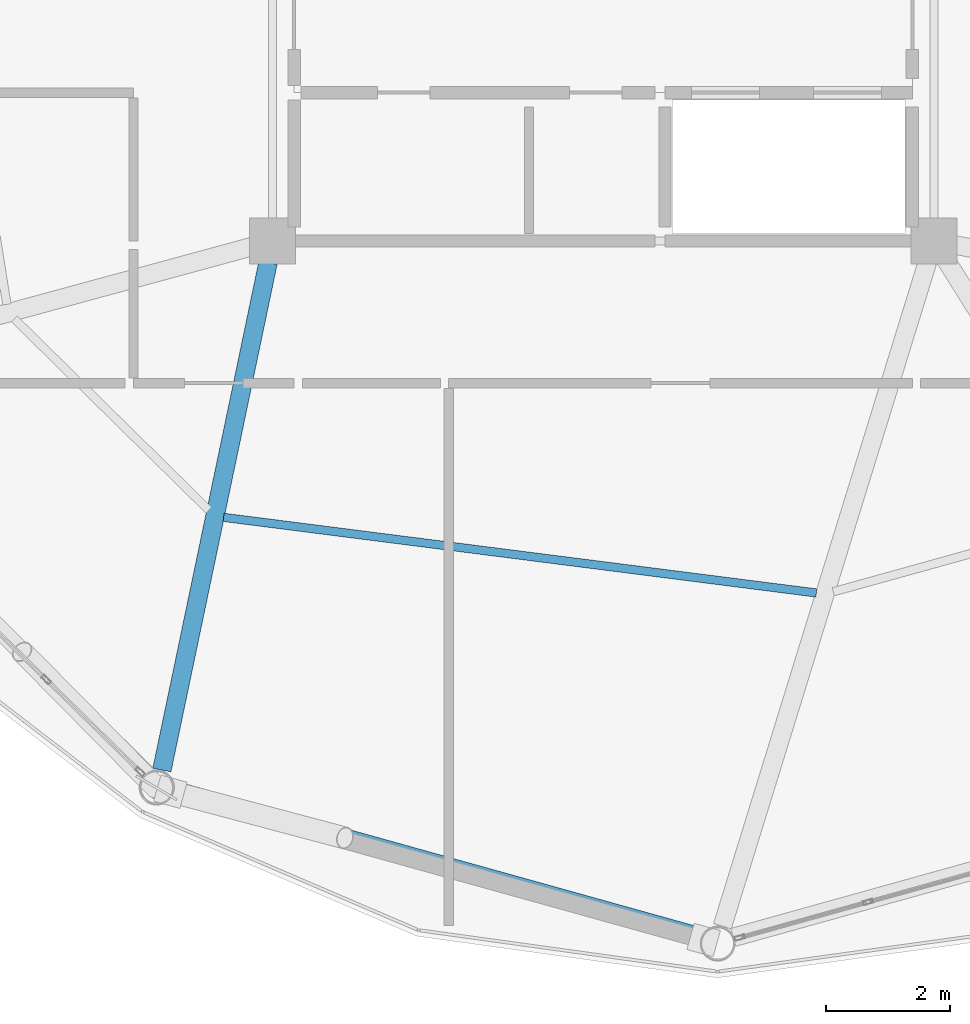
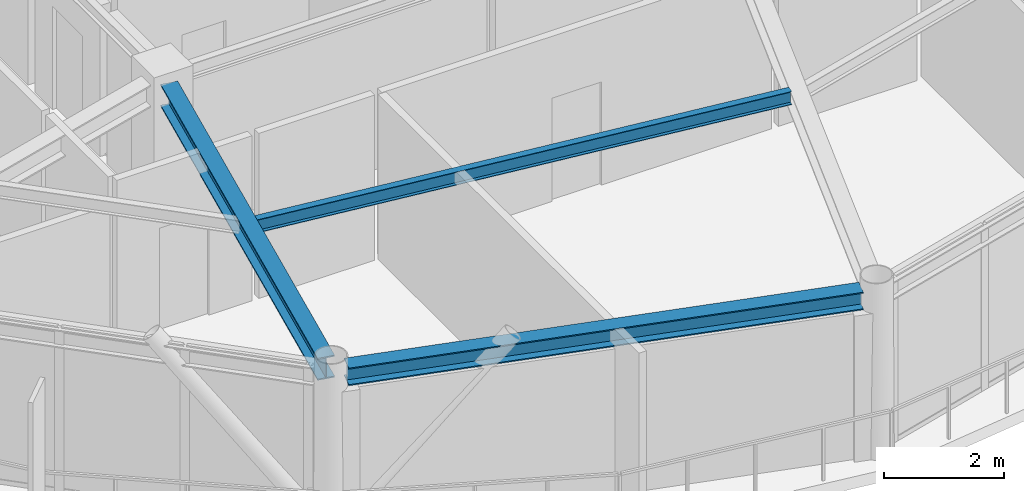
# One storey, part 3 of 25: 3 beams.
"""IFC4 building model written with IfcOpenShell, lengths in metres."""

import ifcopenshell
import ifcopenshell.guid

model = None  # the IFC model being written
_history = None  # IfcOwnerHistory: only IFC2X3 demands one
_inside = {}  # id of a spatial element -> (the spatial element, [elements in it])
_under = {}  # id of a project, library or spatial element -> (it, [spatial elements below it])
_declared = {}  # id of a project -> (the project, [libraries it declares])
_typed = {}  # id of a type object -> (the type object, [elements of that type])
_made_of = {}  # id of a material, layer set ... -> (it, [elements and type objects made of it])


def new_model(schema):
    """Start an empty IFC model of exactly this schema.

    Asked for "IFC4X3", IfcOpenShell would pick the latest addendum, in which some entities
    have other attributes; the version numbers below select the first issue.
    IFC2X3 requires an IfcOwnerHistory on every rooted entity: one is made here for all.
    """
    global model, _history
    if schema == "IFC4X3":
        model = ifcopenshell.file(schema_version=(4, 3, 0, 0))
    else:
        model = ifcopenshell.file(schema=schema)
    _inside.clear()
    _under.clear()
    _declared.clear()
    _typed.clear()
    _made_of.clear()
    _history = None
    if model.schema == "IFC2X3":
        org = make("IfcOrganization", Name="unknown")
        user = make(
            "IfcPersonAndOrganization",
            ThePerson=make("IfcPerson", FamilyName="unknown"),
            TheOrganization=org,
        )
        app = make(
            "IfcApplication",
            ApplicationDeveloper=org,
            Version="unknown",
            ApplicationFullName="unknown",
            ApplicationIdentifier="unknown",
        )
        _history = make(
            "IfcOwnerHistory",
            OwningUser=user,
            OwningApplication=app,
            ChangeAction="ADDED",
            CreationDate=0,
        )
    return model


def make(cls, **values):
    """One entity of the class cls with the attributes given. An attribute that is None is left unset."""
    return model.create_entity(
        cls, **{name: value for name, value in values.items() if value is not None}
    )


def rooted(cls, **values):
    """An entity with a GlobalId (a new one), such as an element, a storey or a relation."""
    return make(cls, GlobalId=ifcopenshell.guid.new(), OwnerHistory=_history, **values)


def si_unit(unit_type, name, prefix=None):
    """IfcSIUnit, for example si_unit("LENGTHUNIT", "METRE", prefix="MILLI")."""
    return make("IfcSIUnit", UnitType=unit_type, Prefix=prefix, Name=name)


def assignment(units):
    """IfcUnitAssignment: the units of a project."""
    return None if units is None else make("IfcUnitAssignment", Units=units)


def point(xyz):
    """IfcCartesianPoint."""
    return None if xyz is None else make("IfcCartesianPoint", Coordinates=xyz)


def direction(xyz):
    """IfcDirection."""
    return None if xyz is None else make("IfcDirection", DirectionRatios=xyz)


def frame(location, z_axis=None, x_axis=None):
    """IfcAxis2Placement3D, a coordinate frame: its origin and axes. An axis left out is left unset."""
    return make(
        "IfcAxis2Placement3D",
        Location=point(location),
        Axis=direction(z_axis),
        RefDirection=direction(x_axis),
    )


def frame_2d(location, x_axis=None):
    """IfcAxis2Placement2D, a coordinate frame in the plane: its origin and x axis."""
    return make(
        "IfcAxis2Placement2D", Location=point(location), RefDirection=direction(x_axis)
    )


def origin():
    """The frame at (0, 0, 0) with its axes left unset."""
    return frame((0.0, 0.0, 0.0))


def origin_2d():
    """The frame at (0, 0) in the plane with its x axis left unset."""
    return frame_2d((0.0, 0.0))


def place(relative_to, where):
    """IfcLocalPlacement: puts the frame where relative to a parent placement (None: the world)."""
    return make(
        "IfcLocalPlacement", PlacementRelTo=relative_to, RelativePlacement=where
    )


def context(
    kind, dimensions, precision=None, world=None, true_north=None, identifier=None
):
    """IfcGeometricRepresentationContext, for example the 3D "Model" context."""
    return make(
        "IfcGeometricRepresentationContext",
        ContextIdentifier=identifier,
        ContextType=kind,
        CoordinateSpaceDimension=dimensions,
        Precision=precision,
        WorldCoordinateSystem=world,
        TrueNorth=true_north,
    )


def subcontext(parent, identifier, kind, view, scale=None):
    """IfcGeometricRepresentationSubContext, for example "Body" below "Model"."""
    return make(
        "IfcGeometricRepresentationSubContext",
        ContextIdentifier=identifier,
        ContextType=kind,
        ParentContext=parent,
        TargetScale=scale,
        TargetView=view,
    )


def project(units=None, contexts=None):
    """IfcProject with its units and contexts."""
    return rooted(
        "IfcProject",
        Name="project",
        RepresentationContexts=contexts,
        UnitsInContext=assignment(units),
    )


def spatial(cls, under=None, at=None, **own):
    """A site, building, storey or space (cls), placed at a placement, below another one or the project."""
    s = rooted(cls, ObjectPlacement=at, **own)
    if under is not None:
        _under.setdefault(under.id(), (under, []))[1].append(s)
    return s


def profile(cls, at=None, kind="AREA", **sizes):
    """A parametric profile (cls). Its sizes go by their IFC names, for example OverallWidth=200.0."""
    return make(cls, ProfileType=kind, Position=at, **sizes)


def i_section(**sizes):
    """IfcIShapeProfileDef."""
    return profile("IfcIShapeProfileDef", **sizes)


def extrude(swept, where, along, depth):
    """IfcExtrudedAreaSolid: the profile swept, set in the frame where, extruded along a direction by depth."""
    return make(
        "IfcExtrudedAreaSolid",
        SweptArea=swept,
        Position=where,
        ExtrudedDirection=direction(along),
        Depth=depth,
    )


def shape(context_of_items, identifier, shape_type, items):
    """IfcShapeRepresentation: the items that make up one representation, for example the "Body"."""
    return make(
        "IfcShapeRepresentation",
        ContextOfItems=context_of_items,
        RepresentationIdentifier=identifier,
        RepresentationType=shape_type,
        Items=items,
    )


def material(Name=None, Category=None):
    """IfcMaterial."""
    return make("IfcMaterial", Name=Name, Category=Category)


def material_profile(
    of_material, cross_section, Name=None, Category=None, Priority=None
):
    """IfcMaterialProfile: a cross section and its material."""
    return make(
        "IfcMaterialProfile",
        Name=Name,
        Material=of_material,
        Profile=cross_section,
        Priority=Priority,
        Category=Category,
    )


def profile_set(profiles, Name=None, composite=None):
    """IfcMaterialProfileSet."""
    return make(
        "IfcMaterialProfileSet",
        Name=Name,
        MaterialProfiles=profiles,
        CompositeProfile=composite,
    )


def made_of(thing, what):
    """Note that an element or type object is made of a material, layer set ...; save() writes the relation."""
    if what is not None:
        _made_of.setdefault(what.id(), (what, []))[1].append(thing)
    return thing


def type_object(cls, material=None, **own):
    """A type object (cls), such as IfcWallType, which elements share."""
    return made_of(rooted(cls, **own), material)


def element(
    cls,
    number,
    at=None,
    inside=None,
    cuts=None,
    type_object=None,
    material=None,
    context=None,
    identifier="Body",
    shape_type=None,
    held_by="IfcProductDefinitionShape",
    body=None,
    shapes=None,
    **own,
):
    """One element of the class cls, such as IfcWall. Its Tag is "e" and its number.

    at: its placement. inside: the storey or other place that contains it. cuts: it is an
    opening in that element (IfcRelVoidsElement). A single representation is given by context,
    identifier, shape_type and body (its items); several are given by shapes. held_by: the class
    of the entity that holds the representations. save() writes the other relations.
    """
    e = rooted(cls, Tag="e%d" % number, ObjectPlacement=at, **own)
    if body is not None:
        shapes = [shape(context, identifier, shape_type, body)]
    if shapes is not None:
        e.Representation = make(held_by, Representations=shapes)
    if inside is not None:
        _inside.setdefault(inside.id(), (inside, []))[1].append(e)
    if cuts is not None:
        rooted(
            "IfcRelVoidsElement", RelatingBuildingElement=cuts, RelatedOpeningElement=e
        )
    if type_object is not None:
        _typed.setdefault(type_object.id(), (type_object, []))[1].append(e)
    return made_of(e, material)


def aggregate(whole, parts):
    """IfcRelAggregates: a whole, such as a stair, and the parts it consists of."""
    return rooted("IfcRelAggregates", RelatingObject=whole, RelatedObjects=parts)


def save(model, path):
    """Write the relations noted so far, then the file.

    IfcRelAggregates (storeys below a building ...), IfcRelContainedInSpatialStructure (elements
    in a storey), IfcRelDefinesByType, IfcRelAssociatesMaterial and IfcRelDeclares: one each for
    every whole, place, type object, material and project.
    """
    for whole, parts in _under.values():
        aggregate(whole, parts)
    for where, things in _inside.values():
        rooted(
            "IfcRelContainedInSpatialStructure",
            RelatedElements=things,
            RelatingStructure=where,
        )
    for kind, things in _typed.values():
        rooted("IfcRelDefinesByType", RelatedObjects=things, RelatingType=kind)
    for what, things in _made_of.values():
        rooted("IfcRelAssociatesMaterial", RelatedObjects=things, RelatingMaterial=what)
    for by, libraries in _declared.values():
        rooted("IfcRelDeclares", RelatingContext=by, RelatedDefinitions=libraries)
    model.write(path)


model = new_model("IFC4")

# Units and contexts
model_context = context("Model", 3, precision=1e-05, world=origin(), true_north=direction((0.0, 1.0)))
body_context = subcontext(model_context, "Body", "Model", "MODEL_VIEW")
ifc_project = project(units=[si_unit("LENGTHUNIT", "METRE"), si_unit("AREAUNIT", "SQUARE_METRE"), si_unit("VOLUMEUNIT", "CUBIC_METRE"), si_unit("PLANEANGLEUNIT", "RADIAN"), si_unit("MASSUNIT", "GRAM", prefix="KILO")], contexts=[model_context])

# Site, building, storey
site_placement = place(None, origin())
site = spatial("IfcSite", under=ifc_project, at=site_placement, CompositionType="ELEMENT")
building_placement = place(site_placement, origin())
building = spatial("IfcBuilding", under=site, at=building_placement, Name="Varnakorn Sky Granary", CompositionType="ELEMENT")
storey_placement = place(building_placement, frame((0.0, 0.0, 259.800048828125)))
storey = spatial("IfcBuildingStorey", under=building, at=storey_placement, Name="L66", CompositionType="ELEMENT", Elevation=259.800048828125)

# Beams
ifc_material = material(Name="Steel S355JR", Category="steel")
ifc_material_profile_1 = material_profile(ifc_material, i_section(OverallWidth=0.300048828125, OverallDepth=0.449951171875, WebThickness=0.013916015625, FlangeThickness=0.02587890625, at=origin_2d()), Name="HE 450 B")
ifc_profile_set_1 = profile_set([ifc_material_profile_1], Name="Steel S355JR")
beam_type_1 = type_object("IfcBeamType", Name="BM-RAD-Z5", PredefinedType="BEAM", material=ifc_profile_set_1)
beam_1_placement = place(storey_placement, frame((-2.422607421875, -6.947509765625, 3.135009765625), z_axis=(-0.204778207857, -0.978808400856, 0.0), x_axis=(0.978808400856, -0.204778207857, 0.0)))
element("IfcBeam", 1, at=beam_1_placement, inside=storey, type_object=beam_type_1, Name="Radial Floor Girder RG09 L66", PredefinedType="BEAM", context=body_context, shape_type="SweptSolid", body=[
    extrude(i_section(OverallWidth=0.300048828125, OverallDepth=0.449951171875, WebThickness=0.013916015625, FlangeThickness=0.02587890625, at=origin_2d()), origin(), (0.0, 0.0, 1.0), 8.388427734375),
])
ifc_material_profile_2 = material_profile(ifc_material, i_section(OverallWidth=0.135009765625, OverallDepth=0.27001953125, WebThickness=0.006591796875, FlangeThickness=0.01025390625, at=origin_2d()), Name="IPE 270")
ifc_profile_set_2 = profile_set([ifc_material_profile_2], Name="Steel S355JR")
beam_type_2 = type_object("IfcBeamType", Name="BM-SEC-Z5", PredefinedType="BEAM", material=ifc_profile_set_2)
beam_2_placement = place(storey_placement, frame((-3.142578125, -11.070556640625, 3.224853515625), z_axis=(0.991961585951, -0.12653936936, 0.0), x_axis=(0.12653936936, 0.991961585951, 0.0)))
element("IfcBeam", 2, at=beam_2_placement, inside=storey, type_object=beam_type_2, Name="Secondary Floor Chord Beam MSB09 L66", PredefinedType="BEAM", context=body_context, shape_type="SweptSolid", body=[
    extrude(i_section(OverallWidth=0.135009765625, OverallDepth=0.27001953125, WebThickness=0.006591796875, FlangeThickness=0.01025390625, at=origin_2d()), origin(), (0.0, 0.0, 1.0), 9.66796875),
])
ifc_material_profile_3 = material_profile(ifc_material, i_section(OverallWidth=0.300048828125, OverallDepth=0.360107421875, WebThickness=0.012451171875, FlangeThickness=0.0224609375, at=origin_2d()), Name="HE 360 B")
ifc_profile_set_3 = profile_set([ifc_material_profile_3], Name="Steel S355JR")
beam_type_3 = type_object("IfcBeamType", Name="BM-SPD-Z5", PredefinedType="SPANDREL", material=ifc_profile_set_3)
beam_3_placement = place(storey_placement, frame((-3.939697265625, -15.488037109375, 3.179931640625), z_axis=(0.963310362828, -0.26838991201, 0.0), x_axis=(0.26838991201, 0.963310362828, 0.0)))
element("IfcBeam", 3, at=beam_3_placement, inside=storey, type_object=beam_type_3, Name="Perimeter Spandrel Ring Beam RB09 L66", PredefinedType="SPANDREL", context=body_context, shape_type="SweptSolid", body=[
    extrude(i_section(OverallWidth=0.300048828125, OverallDepth=0.360107421875, WebThickness=0.012451171875, FlangeThickness=0.0224609375, at=origin_2d()), origin(), (0.0, 0.0, 1.0), 8.85986328125),
])

save(model, "model.ifc")
